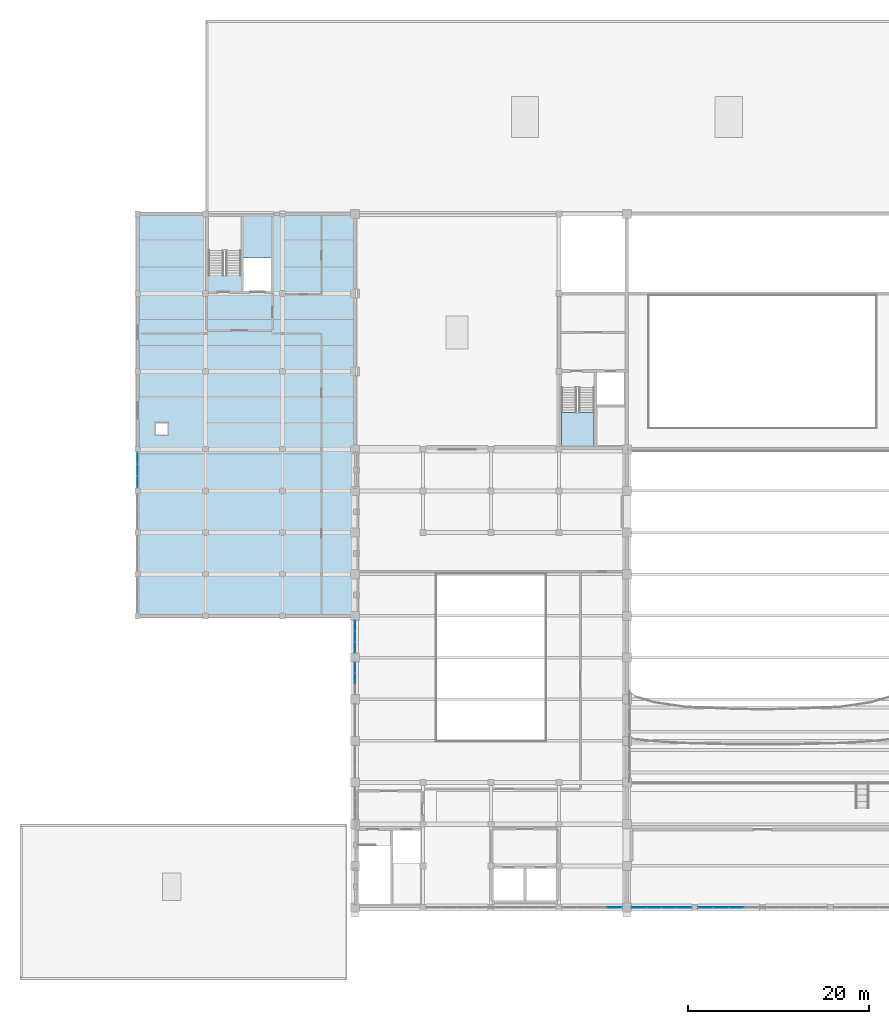
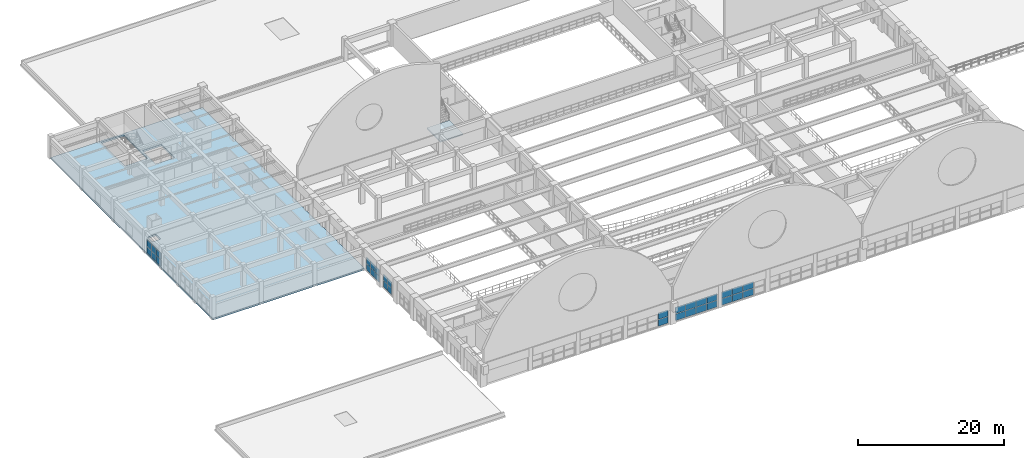
# One storey, part 42 of 74: 32 plates, 2 slabs, 7 elements without a shape of their own.
"""IFC4 building model written with IfcOpenShell, lengths in metres."""

from ifc_helpers import new_model, si_unit, direction, frame, origin, origin_2d, place, context, subcontext, project, spatial, polyline, rectangle, outline, extrude, material, layer, layer_set, type_object, element, aggregate, save


model = new_model("IFC4")

# Units and contexts
model_context = context("Model", 3, precision=1e-05, world=origin(), true_north=direction((0.0, 1.0)))
body_context = subcontext(model_context, "Body", "Model", "MODEL_VIEW")
ifc_project = project(units=[si_unit("LENGTHUNIT", "METRE"), si_unit("AREAUNIT", "SQUARE_METRE"), si_unit("VOLUMEUNIT", "CUBIC_METRE"), si_unit("PLANEANGLEUNIT", "RADIAN"), si_unit("MASSUNIT", "GRAM", prefix="KILO")], contexts=[model_context])

# Site, building, storey
site_placement = place(None, origin())
site = spatial("IfcSite", under=ifc_project, at=site_placement, CompositionType="ELEMENT")
building_placement = place(site_placement, origin())
building = spatial("IfcBuilding", under=site, at=building_placement, Name="Muzn Square Opera House", CompositionType="ELEMENT")
storey_placement = place(building_placement, frame((0.0, 0.0, 14.199951171875)))
storey = spatial("IfcBuildingStorey", under=building, at=storey_placement, Name="L03", CompositionType="ELEMENT", Elevation=14.199951171875)

# Curtain wall, plates
ifc_material_1 = material(Name="Low-E laminated acoustic double glazing", Category="glass")
ifc_layer_1 = layer(ifc_material_1, 0.159912109375, Name="Low-E laminated acoustic double glazing", Category="glass")
ifc_layer_set_1 = layer_set([ifc_layer_1], Name="Low-E laminated acoustic double glazing")
curtain_wall_type_1 = type_object("IfcCurtainWallType", Name="Glazed Curtain Wall Forecourt 6675x2350", PredefinedType="USERDEFINED", material=ifc_layer_set_1)
curtain_wall_1_placement = place(storey_placement, origin())
curtain_wall_1 = element("IfcCurtainWall", 1, at=curtain_wall_1_placement, inside=storey, type_object=curtain_wall_type_1, Name="Glazed Curtain Wall CW-L03-021", ObjectType="GLAZED CURTAIN WALL", PredefinedType="USERDEFINED")
ifc_layer_2 = layer(ifc_material_1, 0.028076171875, Name="Low-E laminated acoustic double glazing", Category="glass")
ifc_layer_set_2 = layer_set([ifc_layer_2], Name="Low-E laminated acoustic double glazing")
plate_type = type_object("IfcPlateType", Name="Curtain Wall Acoustic Glazed Panel 28mm", PredefinedType="CURTAIN_PANEL", material=ifc_layer_set_2)
plate_1_placement = place(storey_placement, frame((71.650634765625, 22.0, 0.06005859375), z_axis=(0.0, 0.0, 1.0), x_axis=(1.0, 0.0, 0.0)))
plate_1 = element("IfcPlate", 2, at=plate_1_placement, type_object=plate_type, Name="CW-FC-66x23 panel 4.1", PredefinedType="CURTAIN_PANEL", context=body_context, shape_type="SweptSolid", body=[
    extrude(rectangle(XDim=1.578857421875, YDim=0.028076171875, at=origin_2d()), origin(), (0.0, 0.0, 1.0), 1.0849609375),
])
plate_2_placement = place(storey_placement, frame((71.650634765625, 22.0, 1.205078125), z_axis=(0.0, 0.0, 1.0), x_axis=(1.0, 0.0, 0.0)))
plate_2 = element("IfcPlate", 3, at=plate_2_placement, type_object=plate_type, Name="CW-FC-66x23 panel 4.2", PredefinedType="CURTAIN_PANEL", context=body_context, shape_type="SweptSolid", body=[
    extrude(rectangle(XDim=1.578857421875, YDim=0.028076171875, at=origin_2d()), origin(), (0.0, 0.0, 1.0), 1.0849609375),
])
aggregate(curtain_wall_1, [plate_1, plate_2])

curtain_wall_2_placement = place(storey_placement, origin())
curtain_wall_2 = element("IfcCurtainWall", 4, at=curtain_wall_2_placement, inside=storey, type_object=curtain_wall_type_1, Name="Glazed Curtain Wall CW-L03-022", ObjectType="GLAZED CURTAIN WALL", PredefinedType="USERDEFINED")
plate_3_placement = place(storey_placement, frame((74.349365234375, 22.0, 0.06005859375), z_axis=(0.0, 0.0, 1.0), x_axis=(1.0, 0.0, 0.0)))
plate_3 = element("IfcPlate", 5, at=plate_3_placement, type_object=plate_type, Name="CW-FC-66x23 panel 1.1", PredefinedType="CURTAIN_PANEL", context=body_context, shape_type="SweptSolid", body=[
    extrude(rectangle(XDim=1.578857421875, YDim=0.028076171875, at=origin_2d()), origin(), (0.0, 0.0, 1.0), 1.0849609375),
])
plate_4_placement = place(storey_placement, frame((74.349365234375, 22.0, 1.205078125), z_axis=(0.0, 0.0, 1.0), x_axis=(1.0, 0.0, 0.0)))
plate_4 = element("IfcPlate", 6, at=plate_4_placement, type_object=plate_type, Name="CW-FC-66x23 panel 1.2", PredefinedType="CURTAIN_PANEL", context=body_context, shape_type="SweptSolid", body=[
    extrude(rectangle(XDim=1.578857421875, YDim=0.028076171875, at=origin_2d()), origin(), (0.0, 0.0, 1.0), 1.0849609375),
])
plate_5_placement = place(storey_placement, frame((76.003173828125, 22.0, 0.06005859375), z_axis=(0.0, 0.0, 1.0), x_axis=(1.0, 0.0, 0.0)))
plate_5 = element("IfcPlate", 7, at=plate_5_placement, type_object=plate_type, Name="CW-FC-66x23 panel 2.1", PredefinedType="CURTAIN_PANEL", context=body_context, shape_type="SweptSolid", body=[
    extrude(rectangle(XDim=1.608642578125, YDim=0.028076171875, at=origin_2d()), origin(), (0.0, 0.0, 1.0), 1.0849609375),
])
plate_6_placement = place(storey_placement, frame((76.003173828125, 22.0, 1.205078125), z_axis=(0.0, 0.0, 1.0), x_axis=(1.0, 0.0, 0.0)))
plate_6 = element("IfcPlate", 8, at=plate_6_placement, type_object=plate_type, Name="CW-FC-66x23 panel 2.2", PredefinedType="CURTAIN_PANEL", context=body_context, shape_type="SweptSolid", body=[
    extrude(rectangle(XDim=1.608642578125, YDim=0.028076171875, at=origin_2d()), origin(), (0.0, 0.0, 1.0), 1.0849609375),
])
plate_7_placement = place(storey_placement, frame((77.671875, 22.0, 0.06005859375), z_axis=(0.0, 0.0, 1.0), x_axis=(1.0, 0.0, 0.0)))
plate_7 = element("IfcPlate", 9, at=plate_7_placement, type_object=plate_type, Name="CW-FC-66x23 panel 3.1", PredefinedType="CURTAIN_PANEL", context=body_context, shape_type="SweptSolid", body=[
    extrude(rectangle(XDim=1.608642578125, YDim=0.028076171875, at=origin_2d()), origin(), (0.0, 0.0, 1.0), 1.0849609375),
])
plate_8_placement = place(storey_placement, frame((77.671875, 22.0, 1.205078125), z_axis=(0.0, 0.0, 1.0), x_axis=(1.0, 0.0, 0.0)))
plate_8 = element("IfcPlate", 10, at=plate_8_placement, type_object=plate_type, Name="CW-FC-66x23 panel 3.2", PredefinedType="CURTAIN_PANEL", context=body_context, shape_type="SweptSolid", body=[
    extrude(rectangle(XDim=1.608642578125, YDim=0.028076171875, at=origin_2d()), origin(), (0.0, 0.0, 1.0), 1.0849609375),
])
plate_9_placement = place(storey_placement, frame((79.32568359375, 22.0, 0.06005859375), z_axis=(0.0, 0.0, 1.0), x_axis=(1.0, 0.0, 0.0)))
plate_9 = element("IfcPlate", 11, at=plate_9_placement, type_object=plate_type, Name="CW-FC-66x23 panel 4.1", PredefinedType="CURTAIN_PANEL", context=body_context, shape_type="SweptSolid", body=[
    extrude(rectangle(XDim=1.578857421875, YDim=0.028076171875, at=origin_2d()), origin(), (0.0, 0.0, 1.0), 1.0849609375),
])
plate_10_placement = place(storey_placement, frame((79.32568359375, 22.0, 1.205078125), z_axis=(0.0, 0.0, 1.0), x_axis=(1.0, 0.0, 0.0)))
plate_10 = element("IfcPlate", 12, at=plate_10_placement, type_object=plate_type, Name="CW-FC-66x23 panel 4.2", PredefinedType="CURTAIN_PANEL", context=body_context, shape_type="SweptSolid", body=[
    extrude(rectangle(XDim=1.578857421875, YDim=0.028076171875, at=origin_2d()), origin(), (0.0, 0.0, 1.0), 1.0849609375),
])
aggregate(curtain_wall_2, [plate_3, plate_4, plate_5, plate_6, plate_7, plate_8, plate_9, plate_10])

ifc_layer_3 = layer(ifc_material_1, 0.159912109375, Name="Low-E laminated acoustic double glazing", Category="glass")
ifc_layer_set_3 = layer_set([ifc_layer_3], Name="Low-E laminated acoustic double glazing")
curtain_wall_type_2 = type_object("IfcCurtainWallType", Name="Glazed Curtain Wall Forecourt 6850x2350", PredefinedType="USERDEFINED", material=ifc_layer_set_3)
curtain_wall_3_placement = place(storey_placement, origin())
curtain_wall_3 = element("IfcCurtainWall", 13, at=curtain_wall_3_placement, inside=storey, type_object=curtain_wall_type_2, Name="Glazed Curtain Wall CW-L03-023", ObjectType="GLAZED CURTAIN WALL", PredefinedType="USERDEFINED")
plate_11_placement = place(storey_placement, frame((81.6962890625, 22.0, 0.06005859375), z_axis=(0.0, 0.0, 1.0), x_axis=(1.0, 0.0, 0.0)))
plate_11 = element("IfcPlate", 14, at=plate_11_placement, type_object=plate_type, Name="CW-FC-68x23 panel 1.1", PredefinedType="CURTAIN_PANEL", context=body_context, shape_type="SweptSolid", body=[
    extrude(rectangle(XDim=1.62255859375, YDim=0.028076171875, at=origin_2d()), origin(), (0.0, 0.0, 1.0), 1.0849609375),
])
plate_12_placement = place(storey_placement, frame((81.6962890625, 22.0, 1.205078125), z_axis=(0.0, 0.0, 1.0), x_axis=(1.0, 0.0, 0.0)))
plate_12 = element("IfcPlate", 15, at=plate_12_placement, type_object=plate_type, Name="CW-FC-68x23 panel 1.2", PredefinedType="CURTAIN_PANEL", context=body_context, shape_type="SweptSolid", body=[
    extrude(rectangle(XDim=1.62255859375, YDim=0.028076171875, at=origin_2d()), origin(), (0.0, 0.0, 1.0), 1.0849609375),
])
plate_13_placement = place(storey_placement, frame((83.393798828125, 22.0, 0.06005859375), z_axis=(0.0, 0.0, 1.0), x_axis=(1.0, 0.0, 0.0)))
plate_13 = element("IfcPlate", 16, at=plate_13_placement, type_object=plate_type, Name="CW-FC-68x23 panel 2.1", PredefinedType="CURTAIN_PANEL", context=body_context, shape_type="SweptSolid", body=[
    extrude(rectangle(XDim=1.652587890625, YDim=0.028076171875, at=origin_2d()), origin(), (0.0, 0.0, 1.0), 1.0849609375),
])
plate_14_placement = place(storey_placement, frame((83.393798828125, 22.0, 1.205078125), z_axis=(0.0, 0.0, 1.0), x_axis=(1.0, 0.0, 0.0)))
plate_14 = element("IfcPlate", 17, at=plate_14_placement, type_object=plate_type, Name="CW-FC-68x23 panel 2.2", PredefinedType="CURTAIN_PANEL", context=body_context, shape_type="SweptSolid", body=[
    extrude(rectangle(XDim=1.652587890625, YDim=0.028076171875, at=origin_2d()), origin(), (0.0, 0.0, 1.0), 1.0849609375),
])
plate_15_placement = place(storey_placement, frame((85.106201171875, 22.0, 0.06005859375), z_axis=(0.0, 0.0, 1.0), x_axis=(1.0, 0.0, 0.0)))
plate_15 = element("IfcPlate", 18, at=plate_15_placement, type_object=plate_type, Name="CW-FC-68x23 panel 3.1", PredefinedType="CURTAIN_PANEL", context=body_context, shape_type="SweptSolid", body=[
    extrude(rectangle(XDim=1.652587890625, YDim=0.028076171875, at=origin_2d()), origin(), (0.0, 0.0, 1.0), 1.0849609375),
])
plate_16_placement = place(storey_placement, frame((85.106201171875, 22.0, 1.205078125), z_axis=(0.0, 0.0, 1.0), x_axis=(1.0, 0.0, 0.0)))
plate_16 = element("IfcPlate", 19, at=plate_16_placement, type_object=plate_type, Name="CW-FC-68x23 panel 3.2", PredefinedType="CURTAIN_PANEL", context=body_context, shape_type="SweptSolid", body=[
    extrude(rectangle(XDim=1.652587890625, YDim=0.028076171875, at=origin_2d()), origin(), (0.0, 0.0, 1.0), 1.0849609375),
])
aggregate(curtain_wall_3, [plate_11, plate_12, plate_13, plate_14, plate_15, plate_16])

ifc_layer_4 = layer(ifc_material_1, 0.159912109375, Name="Low-E laminated acoustic double glazing", Category="glass")
ifc_layer_set_4 = layer_set([ifc_layer_4], Name="Low-E laminated acoustic double glazing")
curtain_wall_type_3 = type_object("IfcCurtainWallType", Name="Glazed Curtain Wall WestVaultCourt 3600x2300", PredefinedType="USERDEFINED", material=ifc_layer_set_4)
curtain_wall_4_placement = place(storey_placement, origin())
curtain_wall_4 = element("IfcCurtainWall", 20, at=curtain_wall_4_placement, inside=storey, type_object=curtain_wall_type_3, Name="Glazed Curtain Wall CW-L03-065", ObjectType="GLAZED CURTAIN WALL", PredefinedType="USERDEFINED")
plate_17_placement = place(storey_placement, frame((43.0, 47.300048828125, 0.06005859375), z_axis=(0.0, 0.0, 1.0), x_axis=(0.0, 1.0, 0.0)))
plate_17 = element("IfcPlate", 21, at=plate_17_placement, type_object=plate_type, Name="CW-WVC-36x23 panel 2.1", PredefinedType="CURTAIN_PANEL", context=body_context, shape_type="SweptSolid", body=[
    extrude(rectangle(XDim=1.139892578125, YDim=0.028076171875, at=origin_2d()), origin(), (0.0, 0.0, 1.0), 1.06005859375),
])
plate_18_placement = place(storey_placement, frame((43.0, 47.300048828125, 1.179931640625), z_axis=(0.0, 0.0, 1.0), x_axis=(0.0, 1.0, 0.0)))
plate_18 = element("IfcPlate", 22, at=plate_18_placement, type_object=plate_type, Name="CW-WVC-36x23 panel 2.2", PredefinedType="CURTAIN_PANEL", context=body_context, shape_type="SweptSolid", body=[
    extrude(rectangle(XDim=1.139892578125, YDim=0.028076171875, at=origin_2d()), origin(), (0.0, 0.0, 1.0), 1.06005859375),
])
plate_19_placement = place(storey_placement, frame((43.0, 48.485107421875, 0.06005859375), z_axis=(0.0, 0.0, 1.0), x_axis=(0.0, 1.0, 0.0)))
plate_19 = element("IfcPlate", 23, at=plate_19_placement, type_object=plate_type, Name="CW-WVC-36x23 panel 3.1", PredefinedType="CURTAIN_PANEL", context=body_context, shape_type="SweptSolid", body=[
    extrude(rectangle(XDim=1.110107421875, YDim=0.028076171875, at=origin_2d()), origin(), (0.0, 0.0, 1.0), 1.06005859375),
])
plate_20_placement = place(storey_placement, frame((43.0, 48.485107421875, 1.179931640625), z_axis=(0.0, 0.0, 1.0), x_axis=(0.0, 1.0, 0.0)))
plate_20 = element("IfcPlate", 24, at=plate_20_placement, type_object=plate_type, Name="CW-WVC-36x23 panel 3.2", PredefinedType="CURTAIN_PANEL", context=body_context, shape_type="SweptSolid", body=[
    extrude(rectangle(XDim=1.110107421875, YDim=0.028076171875, at=origin_2d()), origin(), (0.0, 0.0, 1.0), 1.06005859375),
])
aggregate(curtain_wall_4, [plate_17, plate_18, plate_19, plate_20])

curtain_wall_5_placement = place(storey_placement, origin())
curtain_wall_5 = element("IfcCurtainWall", 25, at=curtain_wall_5_placement, inside=storey, type_object=curtain_wall_type_3, Name="Glazed Curtain Wall CW-L03-067", ObjectType="GLAZED CURTAIN WALL", PredefinedType="USERDEFINED")
plate_21_placement = place(storey_placement, frame((43.0, 50.715087890625, 0.06005859375), z_axis=(0.0, 0.0, 1.0), x_axis=(0.0, 1.0, 0.0)))
plate_21 = element("IfcPlate", 26, at=plate_21_placement, type_object=plate_type, Name="CW-WVC-36x23 panel 1.1", PredefinedType="CURTAIN_PANEL", context=body_context, shape_type="SweptSolid", body=[
    extrude(rectangle(XDim=1.110107421875, YDim=0.028076171875, at=origin_2d()), origin(), (0.0, 0.0, 1.0), 1.06005859375),
])
plate_22_placement = place(storey_placement, frame((43.0, 50.715087890625, 1.179931640625), z_axis=(0.0, 0.0, 1.0), x_axis=(0.0, 1.0, 0.0)))
plate_22 = element("IfcPlate", 27, at=plate_22_placement, type_object=plate_type, Name="CW-WVC-36x23 panel 1.2", PredefinedType="CURTAIN_PANEL", context=body_context, shape_type="SweptSolid", body=[
    extrude(rectangle(XDim=1.110107421875, YDim=0.028076171875, at=origin_2d()), origin(), (0.0, 0.0, 1.0), 1.06005859375),
])
plate_23_placement = place(storey_placement, frame((43.0, 51.89990234375, 0.06005859375), z_axis=(0.0, 0.0, 1.0), x_axis=(0.0, 1.0, 0.0)))
plate_23 = element("IfcPlate", 28, at=plate_23_placement, type_object=plate_type, Name="CW-WVC-36x23 panel 2.1", PredefinedType="CURTAIN_PANEL", context=body_context, shape_type="SweptSolid", body=[
    extrude(rectangle(XDim=1.139892578125, YDim=0.028076171875, at=origin_2d()), origin(), (0.0, 0.0, 1.0), 1.06005859375),
])
plate_24_placement = place(storey_placement, frame((43.0, 51.89990234375, 1.179931640625), z_axis=(0.0, 0.0, 1.0), x_axis=(0.0, 1.0, 0.0)))
plate_24 = element("IfcPlate", 29, at=plate_24_placement, type_object=plate_type, Name="CW-WVC-36x23 panel 2.2", PredefinedType="CURTAIN_PANEL", context=body_context, shape_type="SweptSolid", body=[
    extrude(rectangle(XDim=1.139892578125, YDim=0.028076171875, at=origin_2d()), origin(), (0.0, 0.0, 1.0), 1.06005859375),
])
plate_25_placement = place(storey_placement, frame((43.0, 53.0849609375, 0.06005859375), z_axis=(0.0, 0.0, 1.0), x_axis=(0.0, 1.0, 0.0)))
plate_25 = element("IfcPlate", 30, at=plate_25_placement, type_object=plate_type, Name="CW-WVC-36x23 panel 3.1", PredefinedType="CURTAIN_PANEL", context=body_context, shape_type="SweptSolid", body=[
    extrude(rectangle(XDim=1.110107421875, YDim=0.028076171875, at=origin_2d()), origin(), (0.0, 0.0, 1.0), 1.06005859375),
])
plate_26_placement = place(storey_placement, frame((43.0, 53.0849609375, 1.179931640625), z_axis=(0.0, 0.0, 1.0), x_axis=(0.0, 1.0, 0.0)))
plate_26 = element("IfcPlate", 31, at=plate_26_placement, type_object=plate_type, Name="CW-WVC-36x23 panel 3.2", PredefinedType="CURTAIN_PANEL", context=body_context, shape_type="SweptSolid", body=[
    extrude(rectangle(XDim=1.110107421875, YDim=0.028076171875, at=origin_2d()), origin(), (0.0, 0.0, 1.0), 1.06005859375),
])
aggregate(curtain_wall_5, [plate_21, plate_22, plate_23, plate_24, plate_25, plate_26])

ifc_layer_5 = layer(ifc_material_1, 0.159912109375, Name="Low-E laminated acoustic double glazing", Category="glass")
ifc_layer_set_5 = layer_set([ifc_layer_5], Name="Low-E laminated acoustic double glazing")
curtain_wall_type_4 = type_object("IfcCurtainWallType", Name="Glazed Curtain Wall WestCourt 3950x2350", PredefinedType="USERDEFINED", material=ifc_layer_set_5)
curtain_wall_6_placement = place(storey_placement, origin())
curtain_wall_6 = element("IfcCurtainWall", 32, at=curtain_wall_6_placement, inside=storey, type_object=curtain_wall_type_4, Name="Glazed Curtain Wall CW-L03-155", ObjectType="GLAZED CURTAIN WALL", PredefinedType="USERDEFINED")
plate_27_placement = place(storey_placement, frame((19.0, 68.998291015625, 0.06005859375), z_axis=(0.0, 0.0, 1.0), x_axis=(0.0, 1.0, 0.0)))
plate_27 = element("IfcPlate", 33, at=plate_27_placement, type_object=plate_type, Name="CW-WCT-39x23 panel 1.1", PredefinedType="CURTAIN_PANEL", context=body_context, shape_type="SweptSolid", body=[
    extrude(rectangle(XDim=1.2265625, YDim=0.028076171875, at=origin_2d()), origin(), (0.0, 0.0, 1.0), 1.0849609375),
])
plate_28_placement = place(storey_placement, frame((19.0, 68.998291015625, 1.205078125), z_axis=(0.0, 0.0, 1.0), x_axis=(0.0, 1.0, 0.0)))
plate_28 = element("IfcPlate", 34, at=plate_28_placement, type_object=plate_type, Name="CW-WCT-39x23 panel 1.2", PredefinedType="CURTAIN_PANEL", context=body_context, shape_type="SweptSolid", body=[
    extrude(rectangle(XDim=1.2265625, YDim=0.028076171875, at=origin_2d()), origin(), (0.0, 0.0, 1.0), 1.0849609375),
])
plate_29_placement = place(storey_placement, frame((19.0, 70.300048828125, 0.06005859375), z_axis=(0.0, 0.0, 1.0), x_axis=(0.0, 1.0, 0.0)))
plate_29 = element("IfcPlate", 35, at=plate_29_placement, type_object=plate_type, Name="CW-WCT-39x23 panel 2.1", PredefinedType="CURTAIN_PANEL", context=body_context, shape_type="SweptSolid", body=[
    extrude(rectangle(XDim=1.256591796875, YDim=0.028076171875, at=origin_2d()), origin(), (0.0, 0.0, 1.0), 1.0849609375),
])
plate_30_placement = place(storey_placement, frame((19.0, 70.300048828125, 1.205078125), z_axis=(0.0, 0.0, 1.0), x_axis=(0.0, 1.0, 0.0)))
plate_30 = element("IfcPlate", 36, at=plate_30_placement, type_object=plate_type, Name="CW-WCT-39x23 panel 2.2", PredefinedType="CURTAIN_PANEL", context=body_context, shape_type="SweptSolid", body=[
    extrude(rectangle(XDim=1.256591796875, YDim=0.028076171875, at=origin_2d()), origin(), (0.0, 0.0, 1.0), 1.0849609375),
])
plate_31_placement = place(storey_placement, frame((19.0, 71.6015625, 0.06005859375), z_axis=(0.0, 0.0, 1.0), x_axis=(0.0, 1.0, 0.0)))
plate_31 = element("IfcPlate", 37, at=plate_31_placement, type_object=plate_type, Name="CW-WCT-39x23 panel 3.1", PredefinedType="CURTAIN_PANEL", context=body_context, shape_type="SweptSolid", body=[
    extrude(rectangle(XDim=1.2265625, YDim=0.028076171875, at=origin_2d()), origin(), (0.0, 0.0, 1.0), 1.0849609375),
])
plate_32_placement = place(storey_placement, frame((19.0, 71.6015625, 1.205078125), z_axis=(0.0, 0.0, 1.0), x_axis=(0.0, 1.0, 0.0)))
plate_32 = element("IfcPlate", 38, at=plate_32_placement, type_object=plate_type, Name="CW-WCT-39x23 panel 3.2", PredefinedType="CURTAIN_PANEL", context=body_context, shape_type="SweptSolid", body=[
    extrude(rectangle(XDim=1.2265625, YDim=0.028076171875, at=origin_2d()), origin(), (0.0, 0.0, 1.0), 1.0849609375),
])
aggregate(curtain_wall_6, [plate_27, plate_28, plate_29, plate_30, plate_31, plate_32])

# Slab
ifc_material_2 = material(Name="Concrete C40/50", Category="concrete")
ifc_layer_6 = layer(ifc_material_2, 0.280029296875, Name="Concrete C40/50", Category="concrete")
ifc_layer_set_6 = layer_set([ifc_layer_6], Name="Concrete C40/50")
slab_type_1 = type_object("IfcSlabType", Name="Floor Slab 280mm", PredefinedType="FLOOR", material=ifc_layer_set_6)
slab_1_placement = place(storey_placement, frame((0.0, 0.0, -0.280029296875)))
element("IfcSlab", 39, at=slab_1_placement, inside=storey, type_object=slab_type_1, Name="Floor Slab SLB-L03-WNORTH", PredefinedType="FLOOR", context=body_context, shape_type="SweptSolid", body=[
    extrude(outline(polyline([(19.0, 54.199951171875), (43.0, 54.199951171875), (43.0, 98.60009765625), (19.0, 98.60009765625), (19.0, 54.199951171875)]), holes=[polyline([(26.800048828125, 91.76806640625), (30.39990234375, 91.76806640625), (30.39990234375, 98.300048828125), (26.800048828125, 98.300048828125), (26.800048828125, 91.76806640625)]), polyline([(30.699951171875, 90.10009765625), (33.699951171875, 90.10009765625), (33.699951171875, 93.699951171875), (30.699951171875, 93.699951171875), (30.699951171875, 90.10009765625)]), polyline([(21.0, 74.199951171875), (22.300048828125, 74.199951171875), (22.300048828125, 75.5), (21.0, 75.5), (21.0, 74.199951171875)])]), origin(), (0.0, 0.0, 1.0), 0.280029296875),
])

# Stair, slab
stair_type = type_object("IfcStairType", Name="Core Escape Dogleg Stair", PredefinedType="HALF_TURN_STAIR", material=ifc_material_2)
stair_placement = place(storey_placement, origin())
stair = element("IfcStair", 40, at=stair_placement, inside=storey, type_object=stair_type, Name="L03 Escape Stair ST-1", PredefinedType="HALF_TURN_STAIR")
ifc_layer_7 = layer(ifc_material_2, 0.199951171875, Name="Concrete C40/50", Category="concrete")
ifc_layer_set_7 = layer_set([ifc_layer_7], Name="Concrete C40/50")
slab_type_2 = type_object("IfcSlabType", Name="Stair Half Landing 200mm", PredefinedType="LANDING", material=ifc_layer_set_7)
slab_2_placement = place(storey_placement, frame((0.0, 0.0, 1.699951171875)))
slab_2 = element("IfcSlab", 41, at=slab_2_placement, type_object=slab_type_2, Name="ST-1 landing 1", PredefinedType="LANDING", context=body_context, shape_type="SweptSolid", body=[
    extrude(outline(polyline([(65.800048828125, 76.639892578125), (65.800048828125, 72.89990234375), (69.39990234375, 72.89990234375), (69.39990234375, 76.639892578125), (65.800048828125, 76.639892578125)])), origin(), (0.0, 0.0, 1.0), 0.2001953125),
])
aggregate(stair, [slab_2])

save(model, "model.ifc")
